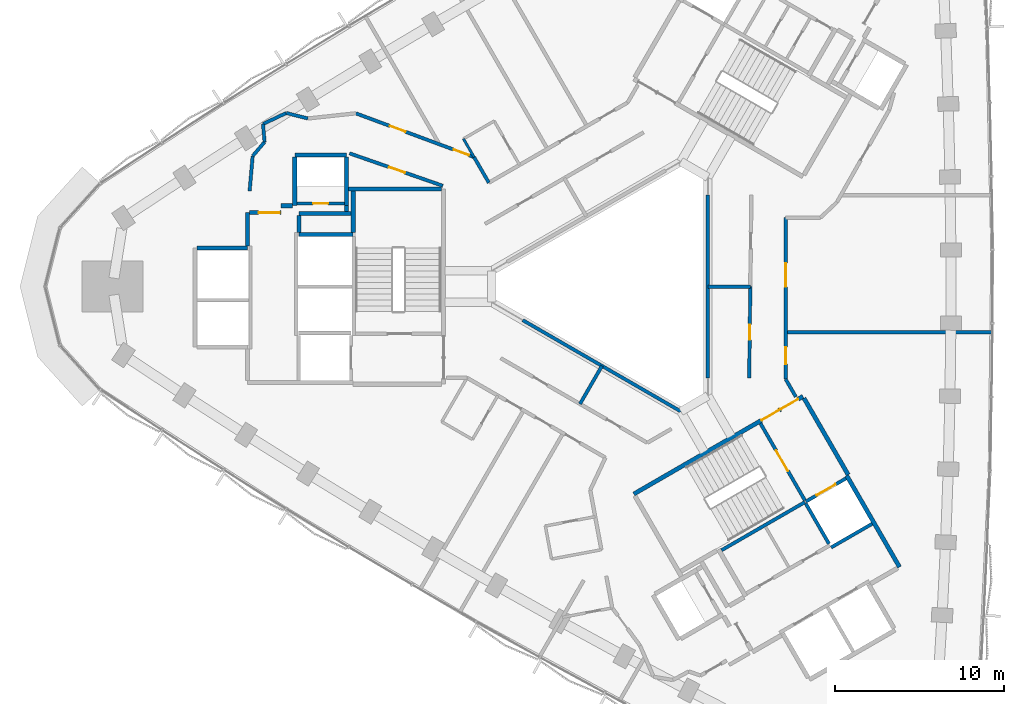
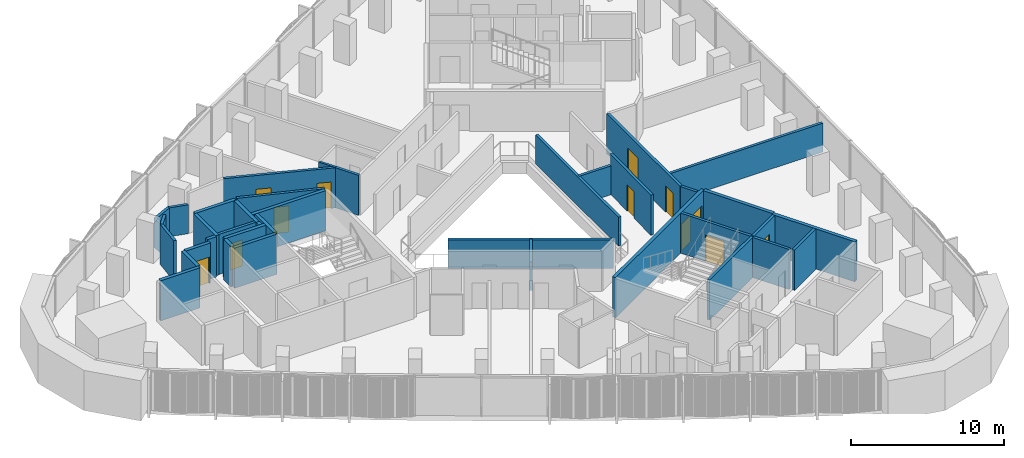
# One storey, part 9 of 14: 39 walls, 12 doors, 12 openings.
"""IFC4 building model written with IfcOpenShell, lengths in metres."""

from ifc_helpers import new_model, si_unit, direction, frame, frame_2d, origin, place, context, subcontext, project, spatial, rectangle, extrude, material, layer, layer_set, type_object, element, fill, save


model = new_model("IFC4")

# Units and contexts
model_context = context("Model", 3, precision=1e-05, world=origin(), true_north=direction((0.0, 1.0)))
body_context = subcontext(model_context, "Body", "Model", "MODEL_VIEW")
ifc_project = project(units=[si_unit("LENGTHUNIT", "METRE"), si_unit("AREAUNIT", "SQUARE_METRE"), si_unit("VOLUMEUNIT", "CUBIC_METRE"), si_unit("PLANEANGLEUNIT", "RADIAN"), si_unit("MASSUNIT", "GRAM", prefix="KILO")], contexts=[model_context])

# Site, building, storey
site_placement = place(None, origin())
site = spatial("IfcSite", under=ifc_project, at=site_placement, CompositionType="ELEMENT")
building_placement = place(site_placement, origin())
building = spatial("IfcBuilding", under=site, at=building_placement, Name="Tamra Quay Hotel Tower", CompositionType="ELEMENT")
storey_placement = place(building_placement, frame((0.0, 0.0, 146.800048828125)))
storey = spatial("IfcBuildingStorey", under=building, at=storey_placement, Name="L36", CompositionType="ELEMENT", Elevation=146.800048828125)

# Wall, opening, door
ifc_material_1 = material(Name="Concrete M70", Category="concrete")
ifc_layer_1 = layer(ifc_material_1, 0.199951171875)
ifc_layer_set_1 = layer_set([ifc_layer_1], Name="Concrete M70 core wall 200")
wall_type_1 = type_object("IfcWallType", Name="Concrete M70 core wall 200", PredefinedType="SHEAR", material=ifc_layer_set_1)
wall_1_placement = place(storey_placement, frame((-19.51123046875, 4.91015625, 0.0), z_axis=(0.0, 0.0, 1.0), x_axis=(1.0, 0.0, 0.0)))
wall_1 = element("IfcWall", 1, at=wall_1_placement, inside=storey, type_object=wall_type_1, Name="CW2", PredefinedType="SHEAR", context=body_context, shape_type="SweptSolid", body=[
    extrude(rectangle(XDim=2.7978515625, YDim=0.199951171875, at=frame_2d((1.39892578125, 0.0))), origin(), (0.0, 0.0, 1.0), 3.199951171875),
])
opening_1_placement = place(wall_1_placement, frame((0.948974609375, 0.0, 0.0)))
opening_1 = element("IfcOpeningElement", 2, at=opening_1_placement, cuts=wall_1, Name="Opening D1", PredefinedType="OPENING", context=body_context, shape_type="SweptSolid", body=[
    extrude(rectangle(XDim=0.89990234375, YDim=2.10009765625, at=frame_2d((0.449951171875, 1.050048828125))), frame((0.0, 0.10986328125, 0.0), z_axis=(0.0, -1.0, 0.0), x_axis=(1.0, 0.0, 0.0)), (0.0, 0.0, 1.0), 0.219970703125),
])
ifc_material_2 = material(Name="Core door D1 900x2100 LH")
door_type_1 = type_object("IfcDoorType", Name="Core door D1 900x2100 LH", OperationType="NOTDEFINED", PredefinedType="DOOR", material=ifc_material_2)
door_1_placement = place(opening_1_placement, origin())
door_1 = element("IfcDoor", 3, at=door_1_placement, inside=storey, type_object=door_type_1, Name="D1", OperationType="SINGLE_SWING_LEFT", OverallHeight=2.10009765625, OverallWidth=0.89990234375, PredefinedType="DOOR", context=body_context, shape_type="SweptSolid", body=[
    extrude(rectangle(XDim=0.89990234375, YDim=2.10009765625, at=frame_2d((0.449951171875, 1.050048828125))), frame((0.0, 0.02490234375, 0.0), z_axis=(0.0, -1.0, 0.0), x_axis=(1.0, 0.0, 0.0)), (0.0, 0.0, 1.0), 0.050048828125),
])
fill(opening_1, door_1)

# Wall
wall_2_placement = place(storey_placement, frame((10.537841796875, -12.751953125, 0.0), z_axis=(0.0, 0.0, 1.0), x_axis=(-0.866038630372, -0.499977090179, 0.0)))
element("IfcWall", 4, at=wall_2_placement, inside=storey, type_object=wall_type_1, Name="CW2", PredefinedType="SHEAR", context=body_context, shape_type="SweptSolid", body=[
    extrude(rectangle(XDim=5.698974609375, YDim=0.199951171875, at=frame_2d((2.849609375, 0.0))), origin(), (0.0, 0.0, 1.0), 3.199951171875),
])

# Wall, opening, door
wall_3_placement = place(storey_placement, frame((7.906494140625, -8.094482421875, 0.0), z_axis=(0.0, 0.0, 1.0), x_axis=(0.500024287448, -0.866011380966, 0.0)))
wall_3 = element("IfcWall", 5, at=wall_3_placement, inside=storey, type_object=wall_type_1, Name="CW2", PredefinedType="SHEAR", context=body_context, shape_type="SweptSolid", body=[
    extrude(rectangle(XDim=5.251220703125, YDim=0.199951171875, at=frame_2d((2.62548828125, 0.0))), origin(), (0.0, 0.0, 1.0), 3.199951171875),
])
opening_2_placement = place(wall_3_placement, frame((1.84912109375, 0.0, 0.0)))
opening_2 = element("IfcOpeningElement", 6, at=opening_2_placement, cuts=wall_3, Name="Opening FD2", PredefinedType="OPENING", context=body_context, shape_type="SweptSolid", body=[
    extrude(rectangle(XDim=1.39990234375, YDim=2.10009765625, at=frame_2d((0.699951171875, 1.050048828125))), frame((0.0, 0.10986328125, 0.0), z_axis=(0.0, -1.0, 0.0), x_axis=(1.0, 0.0, 0.0)), (0.0, 0.0, 1.0), 0.219970703125),
])
ifc_material_3 = material(Name="Core door FD2 1400x2100 LH")
door_type_2 = type_object("IfcDoorType", Name="Core door FD2 1400x2100 LH", OperationType="NOTDEFINED", PredefinedType="DOOR", material=ifc_material_3)
door_2_placement = place(opening_2_placement, origin())
door_2 = element("IfcDoor", 7, at=door_2_placement, inside=storey, type_object=door_type_2, Name="FD2", OperationType="SINGLE_SWING_LEFT", OverallHeight=2.10009765625, OverallWidth=1.39990234375, PredefinedType="DOOR", context=body_context, shape_type="SweptSolid", body=[
    extrude(rectangle(XDim=1.39990234375, YDim=2.10009765625, at=frame_2d((0.699951171875, 1.050048828125))), frame((0.0, 0.02490234375, 0.0), z_axis=(0.0, -1.0, 0.0), x_axis=(1.0, 0.0, 0.0)), (0.0, 0.0, 1.0), 0.050048828125),
])
fill(opening_2, door_2)

# Wall
wall_4_placement = place(storey_placement, frame((11.962646484375, -15.219970703125, 0.0), z_axis=(0.0, 0.0, 1.0), x_axis=(-0.500034990121, 0.866005201286, 0.0)))
element("IfcWall", 8, at=wall_4_placement, inside=storey, type_object=wall_type_1, Name="CW2", PredefinedType="SHEAR", context=body_context, shape_type="SweptSolid", body=[
    extrude(rectangle(XDim=2.749755859375, YDim=0.199951171875, at=frame_2d((1.375, 0.0))), origin(), (0.0, 0.0, 1.0), 3.199951171875),
])

# Wall, opening, door
wall_5_placement = place(storey_placement, frame((10.587158203125, -12.72314453125, 0.0), z_axis=(0.0, 0.0, 1.0), x_axis=(0.866037306777, 0.499979382845, 0.0)))
wall_5 = element("IfcWall", 9, at=wall_5_placement, inside=storey, type_object=wall_type_1, Name="CW2", PredefinedType="SHEAR", context=body_context, shape_type="SweptSolid", body=[
    extrude(rectangle(XDim=2.74169921875, YDim=0.199951171875, at=frame_2d((1.370849609375, 0.0))), origin(), (0.0, 0.0, 1.0), 3.199951171875),
])
opening_3_placement = place(wall_5_placement, frame((0.742919921875, 0.0, 0.0)))
opening_3 = element("IfcOpeningElement", 10, at=opening_3_placement, cuts=wall_5, Name="Opening LD", PredefinedType="OPENING", context=body_context, shape_type="SweptSolid", body=[
    extrude(rectangle(XDim=1.300048828125, YDim=2.10009765625, at=frame_2d((0.64990234375, 1.050048828125))), frame((0.0, 0.10986328125, 0.0), z_axis=(0.0, -1.0, 0.0), x_axis=(1.0, 0.0, 0.0)), (0.0, 0.0, 1.0), 0.219970703125),
])
ifc_material_4 = material(Name="Landing door LD 1300 sliding to left")
door_type_3 = type_object("IfcDoorType", Name="Landing door LD 1300 sliding to left", OperationType="NOTDEFINED", PredefinedType="DOOR", material=ifc_material_4)
door_3_placement = place(opening_3_placement, origin())
door_3 = element("IfcDoor", 11, at=door_3_placement, inside=storey, type_object=door_type_3, Name="LD", OperationType="SLIDING_TO_LEFT", OverallHeight=2.10009765625, OverallWidth=1.300048828125, PredefinedType="DOOR", context=body_context, shape_type="SweptSolid", body=[
    extrude(rectangle(XDim=1.300048828125, YDim=2.10009765625, at=frame_2d((0.64990234375, 1.050048828125))), frame((0.0, 0.02490234375, 0.0), z_axis=(0.0, -1.0, 0.0), x_axis=(1.0, 0.0, 0.0)), (0.0, 0.0, 1.0), 0.050048828125),
])
fill(opening_3, door_3)

# Walls
wall_6_placement = place(storey_placement, frame((14.51171875, -14.037109375, 0.0), z_axis=(0.0, 0.0, 1.0), x_axis=(-0.866044696403, -0.499966582715, 0.0)))
element("IfcWall", 12, at=wall_6_placement, inside=storey, type_object=wall_type_1, Name="CW2", PredefinedType="SHEAR", context=body_context, shape_type="SweptSolid", body=[
    extrude(rectangle(XDim=2.799072265625, YDim=0.199951171875, at=frame_2d((1.3994140625, 0.0))), origin(), (0.0, 0.0, 1.0), 3.199951171875),
])
ifc_layer_2 = layer(ifc_material_1, 0.25)
ifc_layer_set_2 = layer_set([ifc_layer_2], Name="Concrete M70 core wall 250")
wall_type_2 = type_object("IfcWallType", Name="Concrete M70 core wall 250", PredefinedType="SHEAR", material=ifc_layer_set_2)
wall_7_placement = place(storey_placement, frame((-16.47216796875, 5.77490234375, 0.0), z_axis=(0.0, 0.0, 1.0), x_axis=(1.0, 0.0, 0.0)))
element("IfcWall", 13, at=wall_7_placement, inside=storey, type_object=wall_type_2, Name="CW1", PredefinedType="SHEAR", context=body_context, shape_type="SweptSolid", body=[
    extrude(rectangle(XDim=5.509521484375, YDim=0.25, at=frame_2d((2.7548828125, 0.0))), origin(), (0.0, 0.0, 1.0), 3.199951171875),
])
wall_8_placement = place(storey_placement, frame((-19.38720703125, 3.074951171875, 0.0), z_axis=(0.0, 0.0, 1.0), x_axis=(1.0, 0.0, 0.0)))
element("IfcWall", 14, at=wall_8_placement, inside=storey, type_object=wall_type_2, Name="CW1", PredefinedType="SHEAR", context=body_context, shape_type="SweptSolid", body=[
    extrude(rectangle(XDim=3.199951171875, YDim=0.25, at=frame_2d((1.60009765625, 0.0))), origin(), (0.0, 0.0, 1.0), 3.199951171875),
])
wall_9_placement = place(storey_placement, frame((-25.411865234375, 2.27490234375, 0.0), z_axis=(0.0, 0.0, 1.0), x_axis=(1.0, 0.0, 0.0)))
element("IfcWall", 15, at=wall_9_placement, inside=storey, type_object=wall_type_2, Name="CW1", PredefinedType="SHEAR", context=body_context, shape_type="SweptSolid", body=[
    extrude(rectangle(XDim=2.974609375, YDim=0.25, at=frame_2d((1.4873046875, 0.0))), origin(), (0.0, 0.0, 1.0), 3.199951171875),
])
wall_10_placement = place(storey_placement, frame((-19.63720703125, 7.77490234375, 0.0), z_axis=(0.0, 0.0, 1.0), x_axis=(1.0, 0.0, 0.0)))
element("IfcWall", 16, at=wall_10_placement, inside=storey, type_object=wall_type_2, Name="CW1", PredefinedType="SHEAR", context=body_context, shape_type="SweptSolid", body=[
    extrude(rectangle(XDim=3.0498046875, YDim=0.25, at=frame_2d((1.52490234375, 0.0))), origin(), (0.0, 0.0, 1.0), 3.199951171875),
])
for number, where, z_axis, x_axis, name in (
    (17, (-16.58740234375, 7.649658203125, 0.0), (0.0, 0.0, 1.0), (0.0, -1.0, 0.0), "CW1"),
    (18, (-19.63720703125, 4.784912109375, 0.0), (0.0, 0.0, 1.0), (0.0, 1.0, 0.0), "CW1"),
):
    element("IfcWall", number, at=place(storey_placement, frame(where, z_axis=z_axis, x_axis=x_axis)), inside=storey, type_object=wall_type_2, Name=name, PredefinedType="SHEAR", context=body_context, shape_type="SweptSolid", body=[
        extrude(rectangle(XDim=2.86474609375, YDim=0.25, at=frame_2d((1.432373046875, 0.0))), origin(), (0.0, 0.0, 1.0), 3.199951171875),
    ])
wall_11_placement = place(storey_placement, frame((-16.30224609375, 4.31494140625, 0.0), z_axis=(0.0, 0.0, 1.0), x_axis=(-1.0, 0.0, 0.0)))
element("IfcWall", 19, at=wall_11_placement, inside=storey, type_object=wall_type_2, Name="CW1", PredefinedType="SHEAR", context=body_context, shape_type="SweptSolid", body=[
    extrude(rectangle(XDim=3.0849609375, YDim=0.25, at=frame_2d((1.54248046875, 0.0))), origin(), (0.0, 0.0, 1.0), 3.199951171875),
])
wall_12_placement = place(storey_placement, frame((-16.187255859375, 3.200439453125, 0.0), z_axis=(0.0, 0.0, 1.0), x_axis=(0.0, 1.0, 0.0)))
element("IfcWall", 20, at=wall_12_placement, inside=storey, type_object=wall_type_2, Name="CW1", PredefinedType="SHEAR", context=body_context, shape_type="SweptSolid", body=[
    extrude(rectangle(XDim=2.44921875, YDim=0.25, at=frame_2d((1.224609375, 0.0))), origin(), (0.0, 0.0, 1.0), 3.199951171875),
])
wall_13_placement = place(storey_placement, frame((-22.437255859375, 2.400390625, 0.0), z_axis=(0.0, 0.0, 1.0), x_axis=(0.0, 1.0, 0.0)))
element("IfcWall", 21, at=wall_13_placement, inside=storey, type_object=wall_type_2, Name="CW1", PredefinedType="SHEAR", context=body_context, shape_type="SweptSolid", body=[
    extrude(rectangle(XDim=1.974609375, YDim=0.25, at=frame_2d((0.9873046875, 0.0))), origin(), (0.0, 0.0, 1.0), 3.199951171875),
])

# Wall, opening, door
wall_14_placement = place(storey_placement, frame((-22.311767578125, 4.375, 0.0), z_axis=(0.0, 0.0, 1.0), x_axis=(1.0, 0.0, 0.0)))
wall_14 = element("IfcWall", 22, at=wall_14_placement, inside=storey, type_object=wall_type_2, Name="CW1", PredefinedType="SHEAR", context=body_context, shape_type="SweptSolid", body=[
    extrude(rectangle(XDim=1.864501953125, YDim=0.25, at=frame_2d((0.93212890625, 0.0))), origin(), (0.0, 0.0, 1.0), 3.199951171875),
])
opening_4_placement = place(wall_14_placement, frame((0.53466796875, 0.0, 0.0)))
opening_4 = element("IfcOpeningElement", 23, at=opening_4_placement, cuts=wall_14, Name="Opening FD3", PredefinedType="OPENING", context=body_context, shape_type="SweptSolid", body=[
    extrude(rectangle(XDim=1.25, YDim=2.10009765625, at=frame_2d((0.625, 1.050048828125))), frame((0.0, 0.135009765625, 0.0), z_axis=(0.0, -1.0, 0.0), x_axis=(1.0, 0.0, 0.0)), (0.0, 0.0, 1.0), 0.27001953125),
])
ifc_material_5 = material(Name="Core door FD3 1250x2100 LH")
door_type_4 = type_object("IfcDoorType", Name="Core door FD3 1250x2100 LH", OperationType="NOTDEFINED", PredefinedType="DOOR", material=ifc_material_5)
door_4_placement = place(opening_4_placement, origin())
door_4 = element("IfcDoor", 24, at=door_4_placement, inside=storey, type_object=door_type_4, Name="FD3", OperationType="SINGLE_SWING_LEFT", OverallHeight=2.10009765625, OverallWidth=1.25, PredefinedType="DOOR", context=body_context, shape_type="SweptSolid", body=[
    extrude(rectangle(XDim=1.25, YDim=2.10009765625, at=frame_2d((0.625, 1.050048828125))), frame((0.0, 0.02490234375, 0.0), z_axis=(0.0, -1.0, 0.0), x_axis=(1.0, 0.0, 0.0)), (0.0, 0.0, 1.0), 0.050048828125),
])
fill(opening_4, door_4)

# Walls
wall_15_placement = place(storey_placement, frame((-19.38720703125, 4.189697265625, 0.0), z_axis=(0.0, 0.0, 1.0), x_axis=(0.0, -1.0, 0.0)))
element("IfcWall", 25, at=wall_15_placement, inside=storey, type_object=wall_type_2, Name="CW1", PredefinedType="SHEAR", context=body_context, shape_type="SweptSolid", body=[
    extrude(rectangle(XDim=0.9892578125, YDim=0.25, at=frame_2d((0.49462890625, 0.0))), origin(), (0.0, 0.0, 1.0), 3.199951171875),
])
wall_16_placement = place(storey_placement, frame((-20.447265625, 4.784912109375, 0.0), z_axis=(0.0, 0.0, 1.0), x_axis=(1.0, 0.0, 0.0)))
element("IfcWall", 26, at=wall_16_placement, inside=storey, type_object=wall_type_2, Name="CW1", PredefinedType="SHEAR", context=body_context, shape_type="SweptSolid", body=[
    extrude(rectangle(XDim=0.6845703125, YDim=0.25, at=frame_2d((0.34228515625, 0.0))), origin(), (0.0, 0.0, 1.0), 3.199951171875),
])
wall_17_placement = place(storey_placement, frame((-16.577392578125, 4.784912109375, 0.0), z_axis=(0.0, 0.0, 1.0), x_axis=(0.0, -1.0, 0.0)))
element("IfcWall", 27, at=wall_17_placement, inside=storey, type_object=wall_type_2, Name="CW1", PredefinedType="SHEAR", context=body_context, shape_type="SweptSolid", body=[
    extrude(rectangle(XDim=0.344482421875, YDim=0.25, at=frame_2d((0.17236328125, 0.0))), origin(), (0.0, 0.0, 1.0), 3.199951171875),
])

# Wall, openings, doors
wall_18_placement = place(storey_placement, frame((0.417236328125, -12.27294921875, 0.0), z_axis=(0.0, 0.0, 1.0), x_axis=(0.866021906294, 0.500006057782, 0.0)))
wall_18 = element("IfcWall", 28, at=wall_18_placement, inside=storey, type_object=wall_type_2, Name="CW1", PredefinedType="SHEAR", context=body_context, shape_type="SweptSolid", body=[
    extrude(rectangle(XDim=11.550048828125, YDim=0.25, at=frame_2d((5.77490234375, 0.0))), origin(), (0.0, 0.0, 1.0), 3.199951171875),
])
opening_5_placement = place(wall_18_placement, frame((10.024658203125, 0.0, 0.0)))
opening_5 = element("IfcOpeningElement", 29, at=opening_5_placement, cuts=wall_18, Name="Opening FD1", PredefinedType="OPENING", context=body_context, shape_type="SweptSolid", body=[
    extrude(rectangle(XDim=1.199951171875, YDim=2.10009765625, at=frame_2d((0.60009765625, 1.050048828125))), frame((0.0, 0.135009765625, 0.0), z_axis=(0.0, -1.0, 0.0), x_axis=(1.0, 0.0, 0.0)), (0.0, 0.0, 1.0), 0.27001953125),
])
opening_6_placement = place(wall_18_placement, frame((8.724609375, 0.0, 0.0)))
opening_6 = element("IfcOpeningElement", 30, at=opening_6_placement, cuts=wall_18, Name="Opening FD1", PredefinedType="OPENING", context=body_context, shape_type="SweptSolid", body=[
    extrude(rectangle(XDim=1.199951171875, YDim=2.10009765625, at=frame_2d((0.60009765625, 1.050048828125))), frame((0.0, 0.135009765625, 0.0), z_axis=(0.0, -1.0, 0.0), x_axis=(1.0, 0.0, 0.0)), (0.0, 0.0, 1.0), 0.27001953125),
])
ifc_material_6 = material(Name="Core door FD1 1200x2100 LH")
door_type_5 = type_object("IfcDoorType", Name="Core door FD1 1200x2100 LH", OperationType="NOTDEFINED", PredefinedType="DOOR", material=ifc_material_6)
door_5_placement = place(opening_5_placement, origin())
door_5 = element("IfcDoor", 31, at=door_5_placement, inside=storey, type_object=door_type_5, Name="FD1", OperationType="SINGLE_SWING_LEFT", OverallHeight=2.10009765625, OverallWidth=1.199951171875, PredefinedType="DOOR", context=body_context, shape_type="SweptSolid", body=[
    extrude(rectangle(XDim=1.199951171875, YDim=2.10009765625, at=frame_2d((0.60009765625, 1.050048828125))), frame((0.0, 0.02490234375, 0.0), z_axis=(0.0, -1.0, 0.0), x_axis=(1.0, 0.0, 0.0)), (0.0, 0.0, 1.0), 0.050048828125),
])
fill(opening_5, door_5)
ifc_material_7 = material(Name="Core door FD1 1200x2100 RH")
door_type_6 = type_object("IfcDoorType", Name="Core door FD1 1200x2100 RH", OperationType="NOTDEFINED", PredefinedType="DOOR", material=ifc_material_7)
door_6_placement = place(opening_6_placement, origin())
door_6 = element("IfcDoor", 32, at=door_6_placement, inside=storey, type_object=door_type_6, Name="FD1", OperationType="SINGLE_SWING_RIGHT", OverallHeight=2.10009765625, OverallWidth=1.199951171875, PredefinedType="DOOR", context=body_context, shape_type="SweptSolid", body=[
    extrude(rectangle(XDim=1.199951171875, YDim=2.10009765625, at=frame_2d((0.60009765625, 1.050048828125))), frame((0.0, 0.02490234375, 0.0), z_axis=(0.0, -1.0, 0.0), x_axis=(1.0, 0.0, 0.0)), (0.0, 0.0, 1.0), 0.050048828125),
])
fill(opening_6, door_6)

# Walls
wall_19_placement = place(storey_placement, frame((13.00830078125, -11.18115234375, 0.0), z_axis=(0.0, 0.0, 1.0), x_axis=(0.500004234368, -0.866022959057, 0.0)))
element("IfcWall", 33, at=wall_19_placement, inside=storey, type_object=wall_type_2, Name="CW1", PredefinedType="SHEAR", context=body_context, shape_type="SweptSolid", body=[
    extrude(rectangle(XDim=6.25, YDim=0.25, at=frame_2d((3.125, 0.0))), origin(), (0.0, 0.0, 1.0), 3.199951171875),
])
wall_20_placement = place(storey_placement, frame((10.482666015625, -6.6064453125, 0.0), z_axis=(0.0, 0.0, 1.0), x_axis=(0.49999885962, -0.866026062182, 0.0)))
element("IfcWall", 34, at=wall_20_placement, inside=storey, type_object=wall_type_2, Name="CW1", PredefinedType="SHEAR", context=body_context, shape_type="SweptSolid", body=[
    extrude(rectangle(XDim=5.224609375, YDim=0.25, at=frame_2d((2.6123046875, 0.0))), origin(), (0.0, 0.0, 1.0), 3.199951171875),
])
ifc_material_8 = material(Name="Partition corridor wall")
ifc_layer_3 = layer(ifc_material_8, 0.199951171875)
ifc_layer_set_3 = layer_set([ifc_layer_3], Name="Partition corridor wall")
wall_type_3 = type_object("IfcWallType", Name="Partition corridor wall", PredefinedType="PARTITIONING", material=ifc_layer_set_3)
wall_21_placement = place(storey_placement, frame((-22.131103515625, 7.719970703125, 0.0), z_axis=(0.0, 0.0, 1.0), x_axis=(-0.086827346826, -0.996223374471, 0.0)))
element("IfcWall", 35, at=wall_21_placement, inside=storey, type_object=wall_type_3, Name="W-C", PredefinedType="PARTITIONING", context=body_context, shape_type="SweptSolid", body=[
    extrude(rectangle(XDim=2.077880859375, YDim=0.199951171875, at=frame_2d((1.0390625, 0.0))), origin(), (0.0, 0.0, 1.0), 3.199951171875),
])
wall_22_placement = place(storey_placement, frame((-22.1298828125, 7.720947265625, 0.0), z_axis=(0.0, 0.0, 1.0), x_axis=(0.646815590698, 0.762646439466, 0.0)))
element("IfcWall", 36, at=wall_22_placement, inside=storey, type_object=wall_type_3, Name="W-C", PredefinedType="PARTITIONING", context=body_context, shape_type="SweptSolid", body=[
    extrude(rectangle(XDim=1.089599609375, YDim=0.199951171875, at=frame_2d((0.544921875, 0.0))), origin(), (0.0, 0.0, 1.0), 3.199951171875),
])
wall_23_placement = place(storey_placement, frame((-21.52099609375, 9.614013671875, 0.0), z_axis=(0.0, 0.0, 1.0), x_axis=(0.089978363699, -0.995943720331, 0.0)))
element("IfcWall", 37, at=wall_23_placement, inside=storey, type_object=wall_type_3, Name="W-C", PredefinedType="PARTITIONING", context=body_context, shape_type="SweptSolid", body=[
    extrude(rectangle(XDim=1.06640625, YDim=0.199951171875, at=frame_2d((0.533203125, 0.0))), origin(), (0.0, 0.0, 1.0), 2.300048828125),
])
wall_24_placement = place(storey_placement, frame((-21.52099609375, 9.614013671875, 0.0), z_axis=(0.0, 0.0, 1.0), x_axis=(0.904083527367, 0.427355795028, 0.0)))
element("IfcWall", 38, at=wall_24_placement, inside=storey, type_object=wall_type_3, Name="W-C", PredefinedType="PARTITIONING", context=body_context, shape_type="SweptSolid", body=[
    extrude(rectangle(XDim=1.52294921875, YDim=0.199951171875, at=frame_2d((0.761474609375, 0.0))), origin(), (0.0, 0.0, 1.0), 2.300048828125),
])
wall_25_placement = place(storey_placement, frame((-20.14306640625, 10.26611328125, 0.0), z_axis=(0.0, 0.0, 1.0), x_axis=(0.969121308325, -0.246584447505, 0.0)))
element("IfcWall", 39, at=wall_25_placement, inside=storey, type_object=wall_type_3, Name="W-C", PredefinedType="PARTITIONING", context=body_context, shape_type="SweptSolid", body=[
    extrude(rectangle(XDim=1.31884765625, YDim=0.199951171875, at=frame_2d((0.659423828125, 0.0))), origin(), (0.0, 0.0, 1.0), 2.300048828125),
])

# Wall, opening, door
wall_26_placement = place(storey_placement, frame((-16.40234375, 7.879150390625, 0.0), z_axis=(0.0, 0.0, 1.0), x_axis=(0.94449961557, -0.328512520596, 0.0)))
wall_26 = element("IfcWall", 40, at=wall_26_placement, inside=storey, type_object=wall_type_3, Name="W-C", PredefinedType="PARTITIONING", context=body_context, shape_type="SweptSolid", body=[
    extrude(rectangle(XDim=5.842041015625, YDim=0.199951171875, at=frame_2d((2.9208984375, 0.0))), origin(), (0.0, 0.0, 1.0), 3.199951171875),
])
opening_7_placement = place(wall_26_placement, frame((2.480712890625, 0.0, 0.0)))
opening_7 = element("IfcOpeningElement", 41, at=opening_7_placement, cuts=wall_26, Name="Opening L36-D008", PredefinedType="OPENING", context=body_context, shape_type="SweptSolid", body=[
    extrude(rectangle(XDim=1.0, YDim=2.10009765625, at=frame_2d((0.5, 1.050048828125))), frame((0.0, 0.10986328125, 0.0), z_axis=(0.0, -1.0, 0.0), x_axis=(1.0, 0.0, 0.0)), (0.0, 0.0, 1.0), 0.219970703125),
])
ifc_material_9 = material(Name="Door guest room 1000x2100")
door_type_7 = type_object("IfcDoorType", Name="Door guest room 1000x2100", OperationType="NOTDEFINED", PredefinedType="DOOR", material=ifc_material_9)
door_7_placement = place(opening_7_placement, frame((1.0, 0.0, 0.0), z_axis=(0.0, 0.0, 1.0), x_axis=(-1.0, 0.0, 0.0)))
door_7 = element("IfcDoor", 42, at=door_7_placement, inside=storey, type_object=door_type_7, Name="L36-D008", OperationType="SINGLE_SWING_LEFT", OverallHeight=2.10009765625, OverallWidth=1.0, PredefinedType="DOOR", context=body_context, shape_type="SweptSolid", body=[
    extrude(rectangle(XDim=1.0, YDim=2.10009765625, at=frame_2d((0.5, 1.050048828125))), frame((0.0, 0.02490234375, 0.0), z_axis=(0.0, -1.0, 0.0), x_axis=(1.0, 0.0, 0.0)), (0.0, 0.0, 1.0), 0.050048828125),
])
fill(opening_7, door_7)

# Wall, openings, doors
wall_27_placement = place(storey_placement, frame((-16.0263671875, 10.2451171875, 0.0), z_axis=(0.0, 0.0, 1.0), x_axis=(0.937607706988, -0.347694963721, 0.0)))
wall_27 = element("IfcWall", 43, at=wall_27_placement, inside=storey, type_object=wall_type_3, Name="W-C", PredefinedType="PARTITIONING", context=body_context, shape_type="SweptSolid", body=[
    extrude(rectangle(XDim=7.457763671875, YDim=0.199951171875, at=frame_2d((3.72900390625, 0.0))), origin(), (0.0, 0.0, 1.0), 3.199951171875),
])
opening_8_placement = place(wall_27_placement, frame((6.178955078125, 0.0, 0.0)))
opening_8 = element("IfcOpeningElement", 44, at=opening_8_placement, cuts=wall_27, Name="Opening L36-D006", PredefinedType="OPENING", context=body_context, shape_type="SweptSolid", body=[
    extrude(rectangle(XDim=0.949951171875, YDim=2.10009765625, at=frame_2d((0.47509765625, 1.050048828125))), frame((0.0, 0.10986328125, 0.0), z_axis=(0.0, -1.0, 0.0), x_axis=(1.0, 0.0, 0.0)), (0.0, 0.0, 1.0), 0.219970703125),
])
opening_9_placement = place(wall_27_placement, frame((2.139404296875, 0.0, 0.0)))
opening_9 = element("IfcOpeningElement", 45, at=opening_9_placement, cuts=wall_27, Name="Opening L36-D009", PredefinedType="OPENING", context=body_context, shape_type="SweptSolid", body=[
    extrude(rectangle(XDim=1.0, YDim=2.10009765625, at=frame_2d((0.5, 1.050048828125))), frame((0.0, 0.10986328125, 0.0), z_axis=(0.0, -1.0, 0.0), x_axis=(1.0, 0.0, 0.0)), (0.0, 0.0, 1.0), 0.219970703125),
])
door_8_placement = place(opening_9_placement, frame((1.0, 0.0, 0.0), z_axis=(0.0, 0.0, 1.0), x_axis=(-1.0, 0.0, 0.0)))
door_8 = element("IfcDoor", 46, at=door_8_placement, inside=storey, type_object=door_type_7, Name="L36-D009", OperationType="SINGLE_SWING_LEFT", OverallHeight=2.10009765625, OverallWidth=1.0, PredefinedType="DOOR", context=body_context, shape_type="SweptSolid", body=[
    extrude(rectangle(XDim=1.0, YDim=2.10009765625, at=frame_2d((0.5, 1.050048828125))), frame((0.0, 0.02490234375, 0.0), z_axis=(0.0, -1.0, 0.0), x_axis=(1.0, 0.0, 0.0)), (0.0, 0.0, 1.0), 0.050048828125),
])
fill(opening_9, door_8)
ifc_material_10 = material(Name="Door guest room 950x2100")
door_type_8 = type_object("IfcDoorType", Name="Door guest room 950x2100", OperationType="NOTDEFINED", PredefinedType="DOOR", material=ifc_material_10)
door_9_placement = place(opening_8_placement, origin())
door_9 = element("IfcDoor", 47, at=door_9_placement, inside=storey, type_object=door_type_8, Name="L36-D006", OperationType="SINGLE_SWING_LEFT", OverallHeight=2.10009765625, OverallWidth=0.949951171875, PredefinedType="DOOR", context=body_context, shape_type="SweptSolid", body=[
    extrude(rectangle(XDim=0.949951171875, YDim=2.10009765625, at=frame_2d((0.47509765625, 1.050048828125))), frame((0.0, 0.02490234375, 0.0), z_axis=(0.0, -1.0, 0.0), x_axis=(1.0, 0.0, 0.0)), (0.0, 0.0, 1.0), 0.050048828125),
])
fill(opening_8, door_9)

# Wall
wall_28_placement = place(storey_placement, frame((-9.032958984375, 7.65087890625, 0.0), z_axis=(0.0, 0.0, 1.0), x_axis=(0.500417633986, -0.865784148386, 0.0)))
element("IfcWall", 48, at=wall_28_placement, inside=storey, type_object=wall_type_3, Name="W-C", PredefinedType="PARTITIONING", context=body_context, shape_type="SweptSolid", body=[
    extrude(rectangle(XDim=1.74267578125, YDim=0.199951171875, at=frame_2d((0.871337890625, 0.0))), origin(), (0.0, 0.0, 1.0), 3.199951171875),
])

# Wall, opening, door
wall_29_placement = place(storey_placement, frame((7.241943359375, -5.4169921875, 0.0), z_axis=(0.0, 0.0, 1.0), x_axis=(0.01179195138, 0.999930472524, 0.0)))
wall_29 = element("IfcWall", 49, at=wall_29_placement, inside=storey, type_object=wall_type_3, Name="W-C", PredefinedType="PARTITIONING", context=body_context, shape_type="SweptSolid", body=[
    extrude(rectangle(XDim=5.424560546875, YDim=0.199951171875, at=frame_2d((2.71240234375, 0.0))), origin(), (0.0, 0.0, 1.0), 3.199951171875),
])
opening_10_placement = place(wall_29_placement, frame((2.26220703125, 0.0, 0.0)))
opening_10 = element("IfcOpeningElement", 50, at=opening_10_placement, cuts=wall_29, Name="Opening L36-D018", PredefinedType="OPENING", context=body_context, shape_type="SweptSolid", body=[
    extrude(rectangle(XDim=0.89990234375, YDim=2.10009765625, at=frame_2d((0.449951171875, 1.050048828125))), frame((0.0, 0.10986328125, 0.0), z_axis=(0.0, -1.0, 0.0), x_axis=(1.0, 0.0, 0.0)), (0.0, 0.0, 1.0), 0.219970703125),
])
ifc_material_11 = material(Name="Door service room 900x2100")
door_type_9 = type_object("IfcDoorType", Name="Door service room 900x2100", OperationType="NOTDEFINED", PredefinedType="DOOR", material=ifc_material_11)
door_10_placement = place(opening_10_placement, origin())
door_10 = element("IfcDoor", 51, at=door_10_placement, inside=storey, type_object=door_type_9, Name="L36-D018", OperationType="SINGLE_SWING_LEFT", OverallHeight=2.10009765625, OverallWidth=0.89990234375, PredefinedType="DOOR", context=body_context, shape_type="SweptSolid", body=[
    extrude(rectangle(XDim=0.89990234375, YDim=2.10009765625, at=frame_2d((0.449951171875, 1.050048828125))), frame((0.0, 0.02490234375, 0.0), z_axis=(0.0, -1.0, 0.0), x_axis=(1.0, 0.0, 0.0)), (0.0, 0.0, 1.0), 0.050048828125),
])
fill(opening_10, door_10)

# Wall, openings, doors
wall_30_placement = place(storey_placement, frame((9.39990234375, -5.48193359375, 0.0), z_axis=(0.0, 0.0, 1.0), x_axis=(0.0, 1.0, 0.0)))
wall_30 = element("IfcWall", 52, at=wall_30_placement, inside=storey, type_object=wall_type_3, Name="W-C", PredefinedType="PARTITIONING", context=body_context, shape_type="SweptSolid", body=[
    extrude(rectangle(XDim=9.559814453125, YDim=0.199951171875, at=frame_2d((4.77978515625, 0.0))), origin(), (0.0, 0.0, 1.0), 3.199951171875),
])
opening_11_placement = place(wall_30_placement, frame((0.89453125, 0.0, 0.0)))
opening_11 = element("IfcOpeningElement", 53, at=opening_11_placement, cuts=wall_30, Name="Opening L36-D001", PredefinedType="OPENING", context=body_context, shape_type="SweptSolid", body=[
    extrude(rectangle(XDim=1.0, YDim=2.10009765625, at=frame_2d((0.5, 1.050048828125))), frame((0.0, 0.10986328125, 0.0), z_axis=(0.0, -1.0, 0.0), x_axis=(1.0, 0.0, 0.0)), (0.0, 0.0, 1.0), 0.219970703125),
])
opening_12_placement = place(wall_30_placement, frame((5.46240234375, 0.0, 0.0)))
opening_12 = element("IfcOpeningElement", 54, at=opening_12_placement, cuts=wall_30, Name="Opening L36-D002", PredefinedType="OPENING", context=body_context, shape_type="SweptSolid", body=[
    extrude(rectangle(XDim=1.39990234375, YDim=2.10009765625, at=frame_2d((0.699951171875, 1.050048828125))), frame((0.0, 0.10986328125, 0.0), z_axis=(0.0, -1.0, 0.0), x_axis=(1.0, 0.0, 0.0)), (0.0, 0.0, 1.0), 0.219970703125),
])
ifc_material_12 = material(Name="Door double leaf 1400x2100")
door_type_10 = type_object("IfcDoorType", Name="Door double leaf 1400x2100", OperationType="DOUBLE_DOOR_SINGLE_SWING", PredefinedType="DOOR", material=ifc_material_12)
door_11_placement = place(opening_12_placement, frame((1.39990234375, 0.0, 0.0), z_axis=(0.0, 0.0, 1.0), x_axis=(-1.0, 0.0, 0.0)))
door_11 = element("IfcDoor", 55, at=door_11_placement, inside=storey, type_object=door_type_10, Name="L36-D002", OperationType="DOUBLE_DOOR_SINGLE_SWING", OverallHeight=2.10009765625, OverallWidth=1.39990234375, PredefinedType="DOOR", context=body_context, shape_type="SweptSolid", body=[
    extrude(rectangle(XDim=1.39990234375, YDim=2.10009765625, at=frame_2d((0.699951171875, 1.050048828125))), frame((0.0, 0.02490234375, 0.0), z_axis=(0.0, -1.0, 0.0), x_axis=(1.0, 0.0, 0.0)), (0.0, 0.0, 1.0), 0.050048828125),
])
fill(opening_12, door_11)
door_12_placement = place(opening_11_placement, frame((1.0, 0.0, 0.0), z_axis=(0.0, 0.0, 1.0), x_axis=(-1.0, 0.0, 0.0)))
door_12 = element("IfcDoor", 56, at=door_12_placement, inside=storey, type_object=door_type_7, Name="L36-D001", OperationType="SINGLE_SWING_LEFT", OverallHeight=2.10009765625, OverallWidth=1.0, PredefinedType="DOOR", context=body_context, shape_type="SweptSolid", body=[
    extrude(rectangle(XDim=1.0, YDim=2.10009765625, at=frame_2d((0.5, 1.050048828125))), frame((0.0, 0.02490234375, 0.0), z_axis=(0.0, -1.0, 0.0), x_axis=(1.0, 0.0, 0.0)), (0.0, 0.0, 1.0), 0.050048828125),
])
fill(opening_11, door_12)

# Walls
wall_31_placement = place(storey_placement, frame((9.39990234375, -5.48193359375, 0.0), z_axis=(0.0, 0.0, 1.0), x_axis=(0.499909562097, -0.866077611837, 0.0)))
element("IfcWall", 57, at=wall_31_placement, inside=storey, type_object=wall_type_3, Name="W-C", PredefinedType="PARTITIONING", context=body_context, shape_type="SweptSolid", body=[
    extrude(rectangle(XDim=1.204833984375, YDim=0.199951171875, at=frame_2d((0.6025390625, 0.0))), origin(), (0.0, 0.0, 1.0), 3.199951171875),
])
ifc_material_13 = material(Name="Partition en-suite wall")
ifc_layer_4 = layer(ifc_material_13, 0.14990234375)
ifc_layer_set_4 = layer_set([ifc_layer_4], Name="Partition en-suite wall")
wall_type_4 = type_object("IfcWallType", Name="Partition en-suite wall", PredefinedType="PARTITIONING", material=ifc_layer_set_4)
wall_32_placement = place(storey_placement, frame((-9.660888671875, 8.739990234375, 0.0), z_axis=(0.0, 0.0, 1.0), x_axis=(0.49990192124, -0.866082022179, 0.0)))
element("IfcWall", 58, at=wall_32_placement, inside=storey, type_object=wall_type_4, Name="W-E", PredefinedType="PARTITIONING", context=body_context, shape_type="SweptSolid", body=[
    extrude(rectangle(XDim=1.256103515625, YDim=0.14990234375, at=frame_2d((0.6279296875, 0.0))), origin(), (0.0, 0.0, 1.0), 3.199951171875),
])
ifc_material_14 = material(Name="Partition party wall")
ifc_layer_5 = layer(ifc_material_14, 0.199951171875)
ifc_layer_set_5 = layer_set([ifc_layer_5], Name="Partition party wall")
wall_type_5 = type_object("IfcWallType", Name="Partition party wall", PredefinedType="PARTITIONING", material=ifc_layer_set_5)
wall_33_placement = place(storey_placement, frame((-6.155029296875, -1.989013671875, 0.0), z_axis=(0.0, 0.0, 1.0), x_axis=(0.866009062299, -0.500028303215, 0.0)))
element("IfcWall", 59, at=wall_33_placement, inside=storey, type_object=wall_type_5, Name="W-P", PredefinedType="PARTITIONING", context=body_context, shape_type="SweptSolid", body=[
    extrude(rectangle(XDim=10.802001953125, YDim=0.199951171875, at=frame_2d((5.40087890625, 0.0))), origin(), (0.0, 0.0, 1.0), 2.300048828125),
])
wall_34_placement = place(storey_placement, frame((-2.76806640625, -6.946044921875, 0.0), z_axis=(0.0, 0.0, 1.0), x_axis=(0.500017832597, 0.866015107885, 0.0)))
element("IfcWall", 60, at=wall_34_placement, inside=storey, type_object=wall_type_5, Name="W-P", PredefinedType="PARTITIONING", context=body_context, shape_type="SweptSolid", body=[
    extrude(rectangle(XDim=2.599609375, YDim=0.199951171875, at=frame_2d((1.2998046875, 0.0))), origin(), (0.0, 0.0, 1.0), 2.300048828125),
])
wall_35_placement = place(storey_placement, frame((4.800048828125, -5.4169921875, 0.0), z_axis=(0.0, 0.0, 1.0), x_axis=(0.0, 1.0, 0.0)))
element("IfcWall", 61, at=wall_35_placement, inside=storey, type_object=wall_type_5, Name="W-P", PredefinedType="PARTITIONING", context=body_context, shape_type="SweptSolid", body=[
    extrude(rectangle(XDim=10.823974609375, YDim=0.199951171875, at=frame_2d((5.412109375, 0.0))), origin(), (0.0, 0.0, 1.0), 2.300048828125),
])
wall_36_placement = place(storey_placement, frame((4.800048828125, -0.0048828125, 0.0), z_axis=(0.0, 0.0, 1.0), x_axis=(1.0, 0.0, 0.0)))
element("IfcWall", 62, at=wall_36_placement, inside=storey, type_object=wall_type_5, Name="W-P", PredefinedType="PARTITIONING", context=body_context, shape_type="SweptSolid", body=[
    extrude(rectangle(XDim=2.5048828125, YDim=0.199951171875, at=frame_2d((1.25244140625, 0.0))), origin(), (0.0, 0.0, 1.0), 2.300048828125),
])
wall_37_placement = place(storey_placement, frame((9.40087890625, -2.705078125, 0.0), z_axis=(0.0, 0.0, 1.0), x_axis=(1.0, 0.0, 0.0)))
element("IfcWall", 63, at=wall_37_placement, inside=storey, type_object=wall_type_5, Name="W-P", PredefinedType="PARTITIONING", context=body_context, shape_type="SweptSolid", body=[
    extrude(rectangle(XDim=12.21923828125, YDim=0.199951171875, at=frame_2d((6.109619140625, 0.0))), origin(), (0.0, 0.0, 1.0), 2.300048828125),
])

save(model, "model.ifc")
